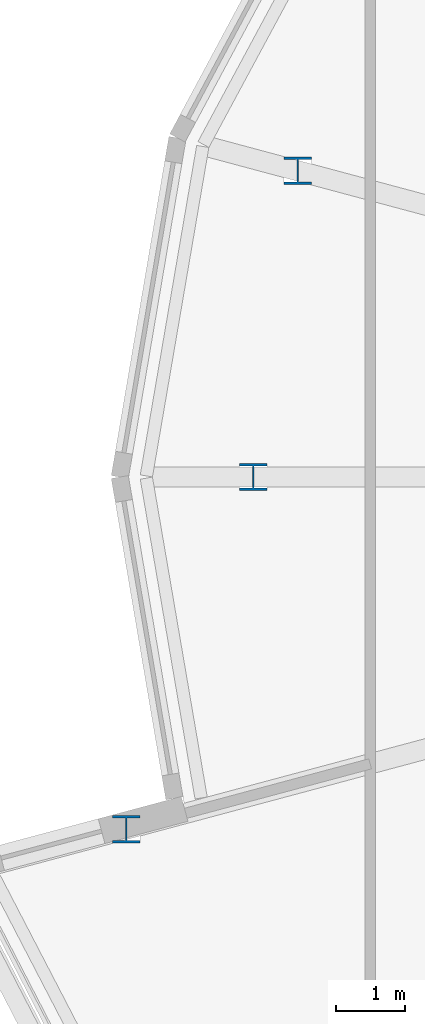
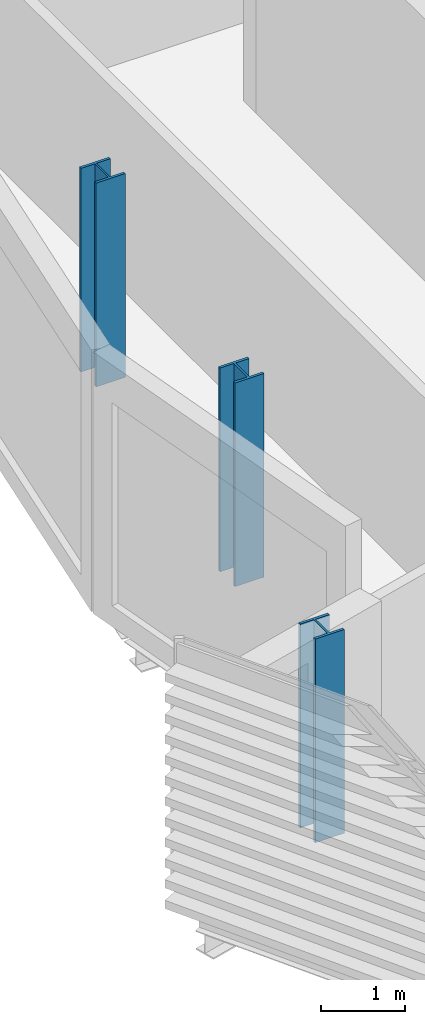
# One storey, part 1 of 37: 3 columns.
"""IFC4 building model written with IfcOpenShell, lengths in metres."""

import ifcopenshell
import ifcopenshell.guid

model = None  # the IFC model being written
_history = None  # IfcOwnerHistory: only IFC2X3 demands one
_inside = {}  # id of a spatial element -> (the spatial element, [elements in it])
_under = {}  # id of a project, library or spatial element -> (it, [spatial elements below it])
_declared = {}  # id of a project -> (the project, [libraries it declares])
_typed = {}  # id of a type object -> (the type object, [elements of that type])
_made_of = {}  # id of a material, layer set ... -> (it, [elements and type objects made of it])


def new_model(schema):
    """Start an empty IFC model of exactly this schema.

    Asked for "IFC4X3", IfcOpenShell would pick the latest addendum, in which some entities
    have other attributes; the version numbers below select the first issue.
    IFC2X3 requires an IfcOwnerHistory on every rooted entity: one is made here for all.
    """
    global model, _history
    if schema == "IFC4X3":
        model = ifcopenshell.file(schema_version=(4, 3, 0, 0))
    else:
        model = ifcopenshell.file(schema=schema)
    _inside.clear()
    _under.clear()
    _declared.clear()
    _typed.clear()
    _made_of.clear()
    _history = None
    if model.schema == "IFC2X3":
        org = make("IfcOrganization", Name="unknown")
        user = make(
            "IfcPersonAndOrganization",
            ThePerson=make("IfcPerson", FamilyName="unknown"),
            TheOrganization=org,
        )
        app = make(
            "IfcApplication",
            ApplicationDeveloper=org,
            Version="unknown",
            ApplicationFullName="unknown",
            ApplicationIdentifier="unknown",
        )
        _history = make(
            "IfcOwnerHistory",
            OwningUser=user,
            OwningApplication=app,
            ChangeAction="ADDED",
            CreationDate=0,
        )
    return model


def make(cls, **values):
    """One entity of the class cls with the attributes given. An attribute that is None is left unset."""
    return model.create_entity(
        cls, **{name: value for name, value in values.items() if value is not None}
    )


def rooted(cls, **values):
    """An entity with a GlobalId (a new one), such as an element, a storey or a relation."""
    return make(cls, GlobalId=ifcopenshell.guid.new(), OwnerHistory=_history, **values)


def si_unit(unit_type, name, prefix=None):
    """IfcSIUnit, for example si_unit("LENGTHUNIT", "METRE", prefix="MILLI")."""
    return make("IfcSIUnit", UnitType=unit_type, Prefix=prefix, Name=name)


def assignment(units):
    """IfcUnitAssignment: the units of a project."""
    return None if units is None else make("IfcUnitAssignment", Units=units)


def point(xyz):
    """IfcCartesianPoint."""
    return None if xyz is None else make("IfcCartesianPoint", Coordinates=xyz)


def direction(xyz):
    """IfcDirection."""
    return None if xyz is None else make("IfcDirection", DirectionRatios=xyz)


def frame(location, z_axis=None, x_axis=None):
    """IfcAxis2Placement3D, a coordinate frame: its origin and axes. An axis left out is left unset."""
    return make(
        "IfcAxis2Placement3D",
        Location=point(location),
        Axis=direction(z_axis),
        RefDirection=direction(x_axis),
    )


def frame_2d(location, x_axis=None):
    """IfcAxis2Placement2D, a coordinate frame in the plane: its origin and x axis."""
    return make(
        "IfcAxis2Placement2D", Location=point(location), RefDirection=direction(x_axis)
    )


def origin():
    """The frame at (0, 0, 0) with its axes left unset."""
    return frame((0.0, 0.0, 0.0))


def origin_2d():
    """The frame at (0, 0) in the plane with its x axis left unset."""
    return frame_2d((0.0, 0.0))


def place(relative_to, where):
    """IfcLocalPlacement: puts the frame where relative to a parent placement (None: the world)."""
    return make(
        "IfcLocalPlacement", PlacementRelTo=relative_to, RelativePlacement=where
    )


def context(
    kind, dimensions, precision=None, world=None, true_north=None, identifier=None
):
    """IfcGeometricRepresentationContext, for example the 3D "Model" context."""
    return make(
        "IfcGeometricRepresentationContext",
        ContextIdentifier=identifier,
        ContextType=kind,
        CoordinateSpaceDimension=dimensions,
        Precision=precision,
        WorldCoordinateSystem=world,
        TrueNorth=true_north,
    )


def subcontext(parent, identifier, kind, view, scale=None):
    """IfcGeometricRepresentationSubContext, for example "Body" below "Model"."""
    return make(
        "IfcGeometricRepresentationSubContext",
        ContextIdentifier=identifier,
        ContextType=kind,
        ParentContext=parent,
        TargetScale=scale,
        TargetView=view,
    )


def project(units=None, contexts=None):
    """IfcProject with its units and contexts."""
    return rooted(
        "IfcProject",
        Name="project",
        RepresentationContexts=contexts,
        UnitsInContext=assignment(units),
    )


def spatial(cls, under=None, at=None, **own):
    """A site, building, storey or space (cls), placed at a placement, below another one or the project."""
    s = rooted(cls, ObjectPlacement=at, **own)
    if under is not None:
        _under.setdefault(under.id(), (under, []))[1].append(s)
    return s


def profile(cls, at=None, kind="AREA", **sizes):
    """A parametric profile (cls). Its sizes go by their IFC names, for example OverallWidth=200.0."""
    return make(cls, ProfileType=kind, Position=at, **sizes)


def i_section(**sizes):
    """IfcIShapeProfileDef."""
    return profile("IfcIShapeProfileDef", **sizes)


def extrude(swept, where, along, depth):
    """IfcExtrudedAreaSolid: the profile swept, set in the frame where, extruded along a direction by depth."""
    return make(
        "IfcExtrudedAreaSolid",
        SweptArea=swept,
        Position=where,
        ExtrudedDirection=direction(along),
        Depth=depth,
    )


def shape(context_of_items, identifier, shape_type, items):
    """IfcShapeRepresentation: the items that make up one representation, for example the "Body"."""
    return make(
        "IfcShapeRepresentation",
        ContextOfItems=context_of_items,
        RepresentationIdentifier=identifier,
        RepresentationType=shape_type,
        Items=items,
    )


def material(Name=None, Category=None):
    """IfcMaterial."""
    return make("IfcMaterial", Name=Name, Category=Category)


def material_profile(
    of_material, cross_section, Name=None, Category=None, Priority=None
):
    """IfcMaterialProfile: a cross section and its material."""
    return make(
        "IfcMaterialProfile",
        Name=Name,
        Material=of_material,
        Profile=cross_section,
        Priority=Priority,
        Category=Category,
    )


def profile_set(profiles, Name=None, composite=None):
    """IfcMaterialProfileSet."""
    return make(
        "IfcMaterialProfileSet",
        Name=Name,
        MaterialProfiles=profiles,
        CompositeProfile=composite,
    )


def made_of(thing, what):
    """Note that an element or type object is made of a material, layer set ...; save() writes the relation."""
    if what is not None:
        _made_of.setdefault(what.id(), (what, []))[1].append(thing)
    return thing


def type_object(cls, material=None, **own):
    """A type object (cls), such as IfcWallType, which elements share."""
    return made_of(rooted(cls, **own), material)


def element(
    cls,
    number,
    at=None,
    inside=None,
    cuts=None,
    type_object=None,
    material=None,
    context=None,
    identifier="Body",
    shape_type=None,
    held_by="IfcProductDefinitionShape",
    body=None,
    shapes=None,
    **own,
):
    """One element of the class cls, such as IfcWall. Its Tag is "e" and its number.

    at: its placement. inside: the storey or other place that contains it. cuts: it is an
    opening in that element (IfcRelVoidsElement). A single representation is given by context,
    identifier, shape_type and body (its items); several are given by shapes. held_by: the class
    of the entity that holds the representations. save() writes the other relations.
    """
    e = rooted(cls, Tag="e%d" % number, ObjectPlacement=at, **own)
    if body is not None:
        shapes = [shape(context, identifier, shape_type, body)]
    if shapes is not None:
        e.Representation = make(held_by, Representations=shapes)
    if inside is not None:
        _inside.setdefault(inside.id(), (inside, []))[1].append(e)
    if cuts is not None:
        rooted(
            "IfcRelVoidsElement", RelatingBuildingElement=cuts, RelatedOpeningElement=e
        )
    if type_object is not None:
        _typed.setdefault(type_object.id(), (type_object, []))[1].append(e)
    return made_of(e, material)


def aggregate(whole, parts):
    """IfcRelAggregates: a whole, such as a stair, and the parts it consists of."""
    return rooted("IfcRelAggregates", RelatingObject=whole, RelatedObjects=parts)


def save(model, path):
    """Write the relations noted so far, then the file.

    IfcRelAggregates (storeys below a building ...), IfcRelContainedInSpatialStructure (elements
    in a storey), IfcRelDefinesByType, IfcRelAssociatesMaterial and IfcRelDeclares: one each for
    every whole, place, type object, material and project.
    """
    for whole, parts in _under.values():
        aggregate(whole, parts)
    for where, things in _inside.values():
        rooted(
            "IfcRelContainedInSpatialStructure",
            RelatedElements=things,
            RelatingStructure=where,
        )
    for kind, things in _typed.values():
        rooted("IfcRelDefinesByType", RelatedObjects=things, RelatingType=kind)
    for what, things in _made_of.values():
        rooted("IfcRelAssociatesMaterial", RelatedObjects=things, RelatingMaterial=what)
    for by, libraries in _declared.values():
        rooted("IfcRelDeclares", RelatingContext=by, RelatedDefinitions=libraries)
    model.write(path)


model = new_model("IFC4")

# Units and contexts
model_context = context("Model", 3, precision=1e-05, world=origin(), true_north=direction((0.0, 1.0)))
body_context = subcontext(model_context, "Body", "Model", "MODEL_VIEW")
ifc_project = project(units=[si_unit("LENGTHUNIT", "METRE"), si_unit("AREAUNIT", "SQUARE_METRE"), si_unit("VOLUMEUNIT", "CUBIC_METRE"), si_unit("PLANEANGLEUNIT", "RADIAN"), si_unit("MASSUNIT", "GRAM", prefix="KILO")], contexts=[model_context])

# Site, building, storey
site_placement = place(None, origin())
site = spatial("IfcSite", under=ifc_project, at=site_placement, CompositionType="ELEMENT")
building_placement = place(site_placement, origin())
building = spatial("IfcBuilding", under=site, at=building_placement, Name="Rimbun Link Towers", CompositionType="ELEMENT")
storey_placement = place(building_placement, frame((0.0, 0.0, 170.300048828125)))
storey = spatial("IfcBuildingStorey", under=building, at=storey_placement, Name="L41", CompositionType="ELEMENT", Elevation=170.300048828125)

# Columns
ifc_material = material(Name="Steel S355J2", Category="steel")
ifc_material_profile = material_profile(ifc_material, i_section(OverallWidth=0.39892578125, OverallDepth=0.3935546875, WebThickness=0.022705078125, FlangeThickness=0.03662109375, at=origin_2d()), Name="UC 356x406x287")
ifc_profile_set = profile_set([ifc_material_profile], Name="Steel S355J2")
column_type = type_object("IfcColumnType", Name="UC 356x406x287", PredefinedType="COLUMN", material=ifc_profile_set)
for number, where, z_axis, x_axis, name in (
    (1, (-48.229736328125, 4.415771484375, -0.150146484375), (0.0, 0.0, 1.0), (1.0, 0.0, 0.0), "Crease post T1 L41 11"),
    (2, (-48.8701171875, 0.0, -0.150146484375), (0.0, 0.0, 1.0), (1.0, 0.0, 0.0), "Crease post T1 L41 12"),
    (3, (-50.70166015625, -5.078125, -0.150146484375), (0.0, 0.0, 1.0), (1.0, 0.0, 0.0), "Crease post T1 L41 13"),
):
    element("IfcColumn", number, at=place(storey_placement, frame(where, z_axis=z_axis, x_axis=x_axis)), inside=storey, type_object=column_type, Name=name, PredefinedType="COLUMN", context=body_context, shape_type="SweptSolid", body=[
        extrude(i_section(OverallWidth=0.39892578125, OverallDepth=0.3935546875, WebThickness=0.022705078125, FlangeThickness=0.03662109375, at=origin_2d()), origin(), (0.0, 0.0, 1.0), 2.95947265625),
    ])

save(model, "model.ifc")
